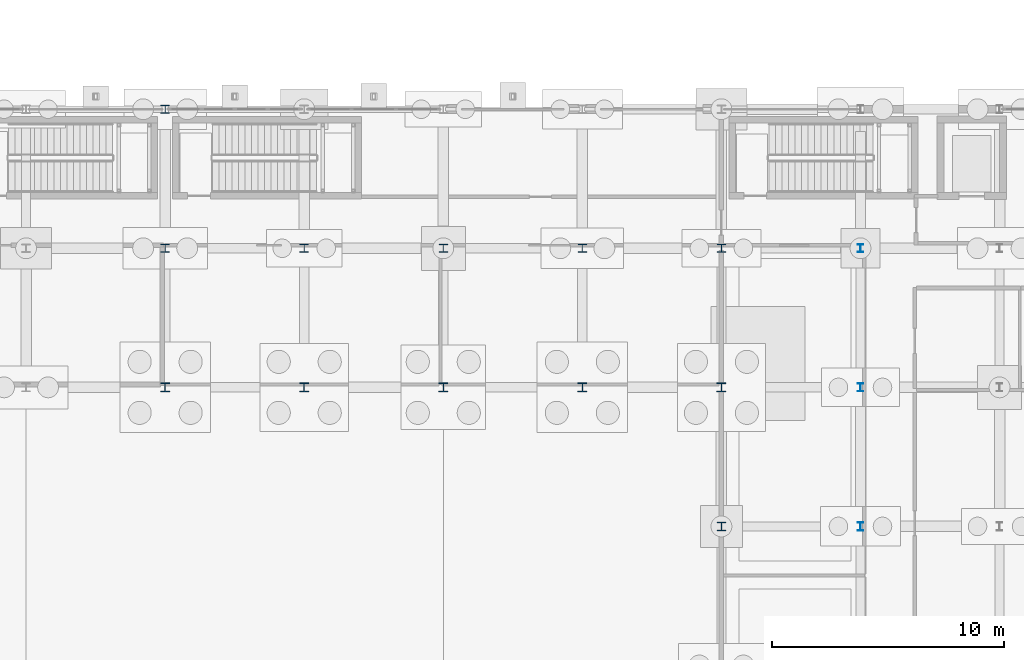
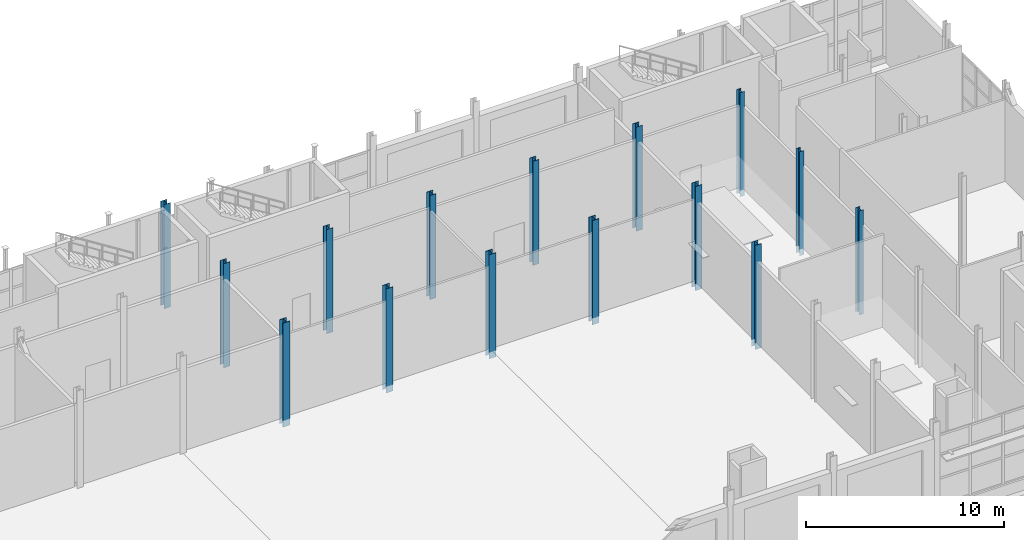
# One storey, part 19 of 120: 15 columns.
"""IFC4 building model written with IfcOpenShell, lengths in metres."""

from ifc_helpers import new_model, si_unit, direction, frame, origin, origin_2d, place, context, subcontext, project, spatial, i_section, extrude, material, material_profile, profile_set, type_object, element, save


model = new_model("IFC4")

# Units and contexts
model_context = context("Model", 3, precision=1e-05, world=origin(), true_north=direction((0.0, 1.0)))
body_context = subcontext(model_context, "Body", "Model", "MODEL_VIEW")
ifc_project = project(units=[si_unit("LENGTHUNIT", "METRE"), si_unit("AREAUNIT", "SQUARE_METRE"), si_unit("VOLUMEUNIT", "CUBIC_METRE"), si_unit("PLANEANGLEUNIT", "RADIAN"), si_unit("MASSUNIT", "GRAM", prefix="KILO")], contexts=[model_context])

# Site, building, storey
site_placement = place(None, origin())
site = spatial("IfcSite", under=ifc_project, at=site_placement, CompositionType="ELEMENT")
building_placement = place(site_placement, origin())
building = spatial("IfcBuilding", under=site, at=building_placement, Name="Siltcreek Boulevard Central Fire Station", CompositionType="ELEMENT")
storey_placement = place(building_placement, origin())
storey = spatial("IfcBuildingStorey", under=building, at=storey_placement, Name="L01", CompositionType="ELEMENT", Elevation=0.0)

# Columns
ifc_material = material(Name="Structural steel ASTM A992 Gr50", Category="steel")
ifc_material_profile_1 = material_profile(ifc_material, i_section(OverallWidth=0.368896484375, OverallDepth=0.35595703125, WebThickness=0.01123046875, FlangeThickness=0.01806640625, at=origin_2d()), Name="W360X134")
ifc_profile_set_1 = profile_set([ifc_material_profile_1], Name="Structural steel ASTM A992 Gr50")
column_type_1 = type_object("IfcColumnType", Name="COL_W360X134", PredefinedType="COLUMN", material=ifc_profile_set_1)
for number, where, z_axis, x_axis, name in (
    (1, (66.0, 48.0, -0.409912109375), (0.0, 0.0, 1.0), (1.0, 0.0, 0.0), "L01 structural column COLG-L01-660-480"),
    (2, (66.0, 54.0, -0.409912109375), (0.0, 0.0, 1.0), (1.0, 0.0, 0.0), "L01 structural column COLG-L01-660-540"),
    (3, (72.0, 48.0, -0.409912109375), (0.0, 0.0, 1.0), (1.0, 0.0, 0.0), "L01 structural column COLG-L01-720-480"),
    (4, (78.0, 48.0, -0.409912109375), (0.0, 0.0, 1.0), (1.0, 0.0, 0.0), "L01 structural column COLG-L01-780-480"),
    (5, (84.0, 48.0, -0.409912109375), (0.0, 0.0, 1.0), (1.0, 0.0, 0.0), "L01 structural column COLG-L01-840-480"),
    (6, (90.0, 36.0, -0.409912109375), (0.0, 0.0, 1.0), (1.0, 0.0, 0.0), "L01 structural column COLG-L01-900-360"),
    (7, (90.0, 48.0, -0.409912109375), (0.0, 0.0, 1.0), (1.0, 0.0, 0.0), "L01 structural column COLG-L01-900-480"),
):
    element("IfcColumn", number, at=place(storey_placement, frame(where, z_axis=z_axis, x_axis=x_axis)), inside=storey, type_object=column_type_1, Name=name, PredefinedType="COLUMN", context=body_context, shape_type="SweptSolid", body=[
        extrude(i_section(OverallWidth=0.368896484375, OverallDepth=0.35595703125, WebThickness=0.01123046875, FlangeThickness=0.01806640625, at=origin_2d()), origin(), (0.0, 0.0, 1.0), 6.409912109375),
    ])
ifc_material_profile_2 = material_profile(ifc_material, i_section(OverallWidth=0.39501953125, OverallDepth=0.3798828125, WebThickness=0.018798828125, FlangeThickness=0.0302734375, at=origin_2d()), Name="W360X237")
ifc_profile_set_2 = profile_set([ifc_material_profile_2], Name="Structural steel ASTM A992 Gr50")
column_type_2 = type_object("IfcColumnType", Name="COL_W360X237", PredefinedType="COLUMN", material=ifc_profile_set_2)
for number, where, z_axis, x_axis, name in (
    (8, (66.0, 42.0, -0.409912109375), (0.0, 0.0, 1.0), (1.0, 0.0, 0.0), "L01 structural column COLG-L01-660-420"),
    (9, (72.0, 42.0, -0.409912109375), (0.0, 0.0, 1.0), (1.0, 0.0, 0.0), "L01 structural column COLG-L01-720-420"),
    (10, (78.0, 42.0, -0.409912109375), (0.0, 0.0, 1.0), (1.0, 0.0, 0.0), "L01 structural column COLG-L01-780-420"),
    (11, (84.0, 42.0, -0.409912109375), (0.0, 0.0, 1.0), (1.0, 0.0, 0.0), "L01 structural column COLG-L01-840-420"),
    (12, (90.0, 42.0, -0.409912109375), (0.0, 0.0, 1.0), (1.0, 0.0, 0.0), "L01 structural column COLG-L01-900-420"),
):
    element("IfcColumn", number, at=place(storey_placement, frame(where, z_axis=z_axis, x_axis=x_axis)), inside=storey, type_object=column_type_2, Name=name, PredefinedType="COLUMN", context=body_context, shape_type="SweptSolid", body=[
        extrude(i_section(OverallWidth=0.39501953125, OverallDepth=0.3798828125, WebThickness=0.018798828125, FlangeThickness=0.0302734375, at=origin_2d()), origin(), (0.0, 0.0, 1.0), 6.409912109375),
    ])
ifc_material_profile_3 = material_profile(ifc_material, i_section(OverallWidth=0.25390625, OverallDepth=0.35302734375, WebThickness=0.009521484375, FlangeThickness=0.016357421875, at=origin_2d()), Name="W360X91")
ifc_profile_set_3 = profile_set([ifc_material_profile_3], Name="Structural steel ASTM A992 Gr50")
column_type_3 = type_object("IfcColumnType", Name="COL_W360X91", PredefinedType="COLUMN", material=ifc_profile_set_3)
for number, where, z_axis, x_axis, name in (
    (13, (96.0, 36.0, -0.409912109375), (0.0, 0.0, 1.0), (1.0, 0.0, 0.0), "L01 structural column COLG-L01-960-360"),
    (14, (96.0, 42.0, -0.409912109375), (0.0, 0.0, 1.0), (1.0, 0.0, 0.0), "L01 structural column COLG-L01-960-420"),
    (15, (96.0, 48.0, -0.409912109375), (0.0, 0.0, 1.0), (1.0, 0.0, 0.0), "L01 structural column COLG-L01-960-480"),
):
    element("IfcColumn", number, at=place(storey_placement, frame(where, z_axis=z_axis, x_axis=x_axis)), inside=storey, type_object=column_type_3, Name=name, PredefinedType="COLUMN", context=body_context, shape_type="SweptSolid", body=[
        extrude(i_section(OverallWidth=0.25390625, OverallDepth=0.35302734375, WebThickness=0.009521484375, FlangeThickness=0.016357421875, at=origin_2d()), origin(), (0.0, 0.0, 1.0), 6.409912109375),
    ])

save(model, "model.ifc")
